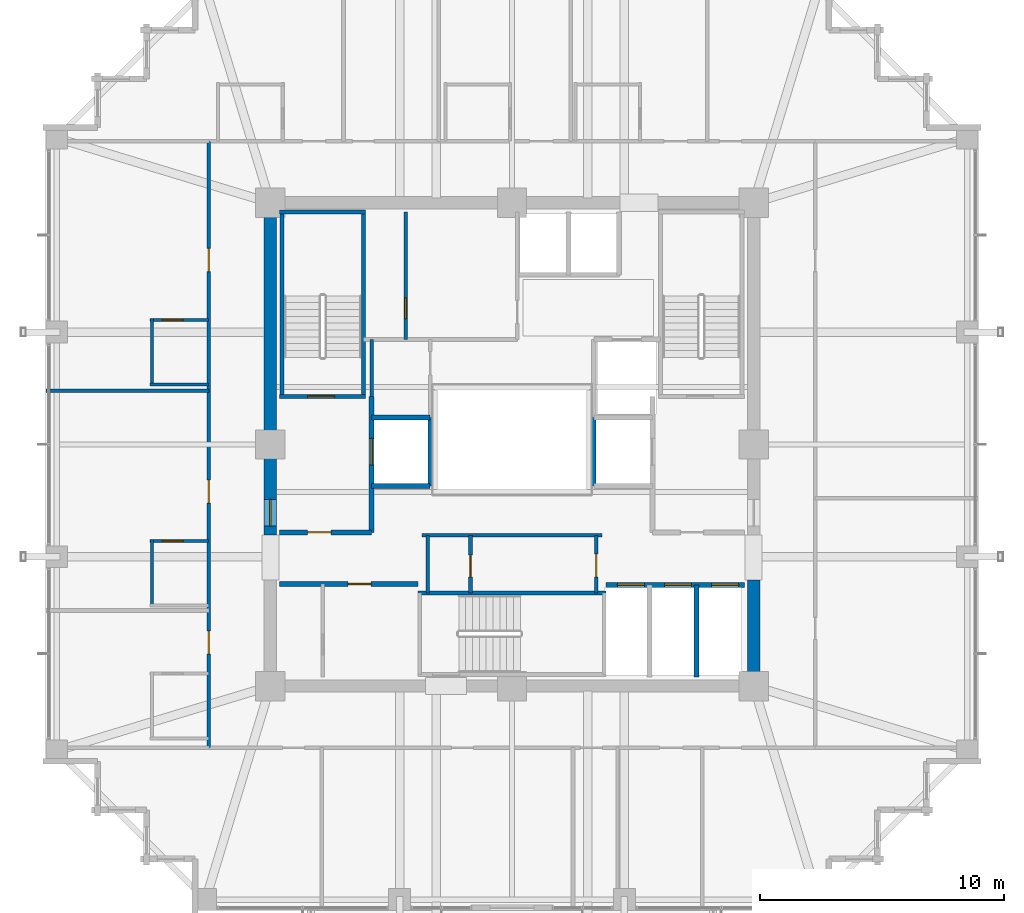
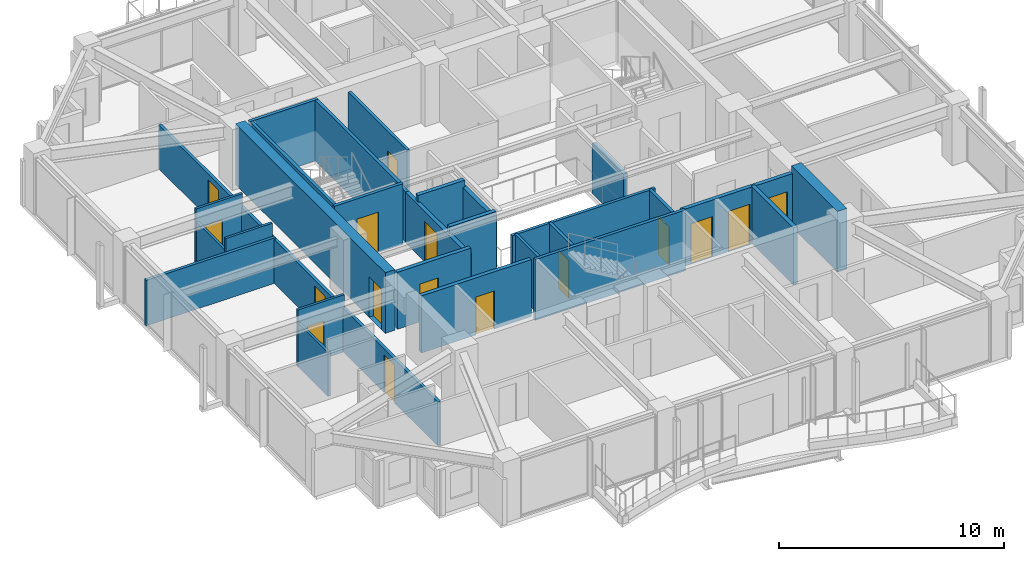
# One storey, part 27 of 32: 29 walls, 16 doors, 16 openings.
"""IFC4 building model written with IfcOpenShell, lengths in metres."""

from ifc_helpers import new_model, si_unit, direction, frame, frame_2d, origin, place, context, subcontext, project, spatial, rectangle, extrude, material, layer, layer_set, type_object, element, fill, save


model = new_model("IFC4")

# Units and contexts
model_context = context("Model", 3, precision=1e-05, world=origin(), true_north=direction((0.0, 1.0)))
body_context = subcontext(model_context, "Body", "Model", "MODEL_VIEW")
ifc_project = project(units=[si_unit("LENGTHUNIT", "METRE"), si_unit("AREAUNIT", "SQUARE_METRE"), si_unit("VOLUMEUNIT", "CUBIC_METRE"), si_unit("PLANEANGLEUNIT", "RADIAN"), si_unit("MASSUNIT", "GRAM", prefix="KILO")], contexts=[model_context])

# Site, building, storey
site_placement = place(None, origin())
site = spatial("IfcSite", under=ifc_project, at=site_placement, CompositionType="ELEMENT")
building_placement = place(site_placement, origin())
building = spatial("IfcBuilding", under=site, at=building_placement, Name="Kolvaren Belvedere", CompositionType="ELEMENT")
storey_placement = place(building_placement, frame((0.0, 0.0, 160.199951171875)))
storey = spatial("IfcBuildingStorey", under=building, at=storey_placement, Name="L46", CompositionType="ELEMENT", Elevation=160.199951171875)

# Wall
ifc_material_1 = material(Name="Concrete C50/60", Category="concrete")
ifc_layer_1 = layer(ifc_material_1, 0.5)
ifc_layer_set_1 = layer_set([ifc_layer_1], Name="Concrete C50/60")
wall_type_1 = type_object("IfcWallType", Name="CW-CORE-500", PredefinedType="SHEAR", material=ifc_layer_set_1)
wall_1_placement = place(storey_placement, frame((9.89990234375, -9.64990234375, 0.0), z_axis=(0.0, 0.0, 1.0), x_axis=(0.0, 1.0, 0.0)))
element("IfcWall", 1, at=wall_1_placement, inside=storey, type_object=wall_type_1, Name="L46 East Core Shear Wall 1", PredefinedType="SHEAR", context=body_context, shape_type="SweptSolid", body=[
    extrude(rectangle(XDim=4.099853515625, YDim=0.5, at=frame_2d((2.0498046875, 0.0))), origin(), (0.0, 0.0, 1.0), 3.300048828125),
])

# Wall, opening, door
wall_2_placement = place(storey_placement, frame((-9.89990234375, -3.699951171875, 0.0), z_axis=(0.0, 0.0, 1.0), x_axis=(0.0, 1.0, 0.0)))
wall_2 = element("IfcWall", 2, at=wall_2_placement, inside=storey, type_object=wall_type_1, Name="L46 West Core Shear Wall 2", PredefinedType="SHEAR", context=body_context, shape_type="SweptSolid", body=[
    extrude(rectangle(XDim=13.349853515625, YDim=0.5, at=frame_2d((6.6748046875, 0.0))), origin(), (0.0, 0.0, 1.0), 3.300048828125),
])
opening_1_placement = place(wall_2_placement, frame((0.35009765625, 0.0, 0.0)))
opening_1 = element("IfcOpeningElement", 3, at=opening_1_placement, cuts=wall_2, Name="Opening D-FD90", PredefinedType="OPENING", context=body_context, shape_type="SweptSolid", body=[
    extrude(rectangle(XDim=1.10009765625, YDim=2.199951171875, at=frame_2d((0.550048828125, 1.10009765625))), frame((0.0, 0.260009765625, 0.0), z_axis=(0.0, -1.0, 0.0), x_axis=(1.0, 0.0, 0.0)), (0.0, 0.0, 1.0), 0.52001953125),
])
ifc_material_2 = material(Name="Painted hollow stainless steel", Category="steel")
door_type_1 = type_object("IfcDoorType", Name="DR-FD90-1100", OperationType="NOTDEFINED", PredefinedType="DOOR", material=ifc_material_2)
door_1_placement = place(opening_1_placement, origin())
door_1 = element("IfcDoor", 4, at=door_1_placement, inside=storey, type_object=door_type_1, Name="L46 West Firefighting Lobby Fire Door", OperationType="SINGLE_SWING_LEFT", OverallHeight=2.199951171875, OverallWidth=1.10009765625, PredefinedType="DOOR", context=body_context, shape_type="SweptSolid", body=[
    extrude(rectangle(XDim=1.10009765625, YDim=2.199951171875, at=frame_2d((0.550048828125, 1.10009765625))), frame((0.0, 0.02490234375, 0.0), z_axis=(0.0, -1.0, 0.0), x_axis=(1.0, 0.0, 0.0)), (0.0, 0.0, 1.0), 0.050048828125),
])
fill(opening_1, door_1)

ifc_material_3 = material(Name="Concrete C50/60", Category="concrete")
ifc_layer_2 = layer(ifc_material_3, 0.159912109375)
ifc_layer_set_2 = layer_set([ifc_layer_2], Name="Concrete C50/60")
wall_type_2 = type_object("IfcWallType", Name="CW-STAIR-160", PredefinedType="SHEAR", material=ifc_layer_set_2)
wall_3_placement = place(storey_placement, frame((-9.52001953125, 1.969970703125, 0.0), z_axis=(0.0, 0.0, 1.0), x_axis=(1.0, 0.0, 0.0)))
wall_3 = element("IfcWall", 5, at=wall_3_placement, inside=storey, type_object=wall_type_2, Name="L46 Stair ST-1 South Shear Wall", PredefinedType="SHEAR", context=body_context, shape_type="SweptSolid", body=[
    extrude(rectangle(XDim=3.52001953125, YDim=0.159912109375, at=frame_2d((1.760009765625, 0.0))), origin(), (0.0, 0.0, 1.0), 3.300048828125),
])
opening_2_placement = place(wall_3_placement, frame((1.14990234375, 0.0, 0.0)))
opening_2 = element("IfcOpeningElement", 6, at=opening_2_placement, cuts=wall_3, Name="Opening D-FD90", PredefinedType="OPENING", context=body_context, shape_type="SweptSolid", body=[
    extrude(rectangle(XDim=1.10009765625, YDim=2.199951171875, at=frame_2d((0.550048828125, 1.10009765625))), frame((0.0, 0.08984375, 0.0), z_axis=(0.0, -1.0, 0.0), x_axis=(1.0, 0.0, 0.0)), (0.0, 0.0, 1.0), 0.179931640625),
])
door_2_placement = place(opening_2_placement, origin())
door_2 = element("IfcDoor", 7, at=door_2_placement, inside=storey, type_object=door_type_1, Name="L46 Stair ST-1 Fire Door", OperationType="SINGLE_SWING_LEFT", OverallHeight=2.199951171875, OverallWidth=1.10009765625, PredefinedType="DOOR", context=body_context, shape_type="SweptSolid", body=[
    extrude(rectangle(XDim=1.10009765625, YDim=2.199951171875, at=frame_2d((0.550048828125, 1.10009765625))), frame((0.0, 0.02490234375, 0.0), z_axis=(0.0, -1.0, 0.0), x_axis=(1.0, 0.0, 0.0)), (0.0, 0.0, 1.0), 0.050048828125),
])
fill(opening_2, door_2)

# Walls
wall_4_placement = place(storey_placement, frame((-9.52001953125, 9.530029296875, 0.0), z_axis=(0.0, 0.0, 1.0), x_axis=(1.0, 0.0, 0.0)))
element("IfcWall", 8, at=wall_4_placement, inside=storey, type_object=wall_type_2, Name="L46 Stair ST-1 North Shear Wall", PredefinedType="SHEAR", context=body_context, shape_type="SweptSolid", body=[
    extrude(rectangle(XDim=3.52001953125, YDim=0.159912109375, at=frame_2d((1.760009765625, 0.0))), origin(), (0.0, 0.0, 1.0), 3.300048828125),
])
for number, where, z_axis, x_axis, name in (
    (9, (-9.429931640625, 1.969970703125, 0.0), (0.0, 0.0, 1.0), (0.0, 1.0, 0.0), "L46 Stair ST-1 West Shear Wall"),
    (10, (-6.080078125, 1.969970703125, 0.0), (0.0, 0.0, 1.0), (0.0, 1.0, 0.0), "L46 Stair ST-1 East Shear Wall"),
):
    element("IfcWall", number, at=place(storey_placement, frame(where, z_axis=z_axis, x_axis=x_axis)), inside=storey, type_object=wall_type_2, Name=name, PredefinedType="SHEAR", context=body_context, shape_type="SweptSolid", body=[
        extrude(rectangle(XDim=7.56005859375, YDim=0.159912109375, at=frame_2d((3.780029296875, 0.0))), origin(), (0.0, 0.0, 1.0), 3.300048828125),
    ])
wall_5_placement = place(storey_placement, frame((-3.860107421875, -6.080078125, 0.0), z_axis=(0.0, 0.0, 1.0), x_axis=(1.0, 0.0, 0.0)))
element("IfcWall", 11, at=wall_5_placement, inside=storey, type_object=wall_type_2, Name="L46 Stair ST-3 North Shear Wall", PredefinedType="SHEAR", context=body_context, shape_type="SweptSolid", body=[
    extrude(rectangle(XDim=7.72021484375, YDim=0.159912109375, at=frame_2d((3.860107421875, 0.0))), origin(), (0.0, 0.0, 1.0), 3.300048828125),
])

# Wall, openings, doors
ifc_material_4 = material(Name="Gypsum fire-rated partition assembly", Category="gypsum")
ifc_layer_3 = layer(ifc_material_4, 0.14990234375)
ifc_layer_set_3 = layer_set([ifc_layer_3], Name="Gypsum fire-rated partition assembly")
wall_type_3 = type_object("IfcWallType", Name="WL-CORR-150", PredefinedType="PARTITIONING", material=ifc_layer_set_3)
wall_6_placement = place(storey_placement, frame((-12.419921875, -12.419921875, 0.0), z_axis=(0.0, 0.0, 1.0), x_axis=(0.0, 1.0, 0.0)))
wall_6 = element("IfcWall", 12, at=wall_6_placement, inside=storey, type_object=wall_type_3, Name="L46 West Corridor Wall", PredefinedType="PARTITIONING", context=body_context, shape_type="SweptSolid", body=[
    extrude(rectangle(XDim=24.83984375, YDim=0.14990234375, at=frame_2d((12.419921875, 0.0))), origin(), (0.0, 0.0, 1.0), 2.38916015625),
])
opening_3_placement = place(wall_6_placement, frame((3.831298828125, 0.0, 0.0)))
opening_3 = element("IfcOpeningElement", 13, at=opening_3_placement, cuts=wall_6, Name="Opening D-FD60", PredefinedType="OPENING", context=body_context, shape_type="SweptSolid", body=[
    extrude(rectangle(XDim=0.949951171875, YDim=2.06005859375, at=frame_2d((0.47509765625, 1.030029296875))), frame((0.0, 0.0849609375, 0.0), z_axis=(0.0, -1.0, 0.0), x_axis=(1.0, 0.0, 0.0)), (0.0, 0.0, 1.0), 0.169921875),
])
opening_4_placement = place(wall_6_placement, frame((10.012451171875, 0.0, 0.0)))
opening_4 = element("IfcOpeningElement", 14, at=opening_4_placement, cuts=wall_6, Name="Opening D-FD60", PredefinedType="OPENING", context=body_context, shape_type="SweptSolid", body=[
    extrude(rectangle(XDim=0.949951171875, YDim=2.06005859375, at=frame_2d((0.47509765625, 1.030029296875))), frame((0.0, 0.0849609375, 0.0), z_axis=(0.0, -1.0, 0.0), x_axis=(1.0, 0.0, 0.0)), (0.0, 0.0, 1.0), 0.169921875),
])
opening_5_placement = place(wall_6_placement, frame((19.50439453125, 0.0, 0.0)))
opening_5 = element("IfcOpeningElement", 15, at=opening_5_placement, cuts=wall_6, Name="Opening D-FD60", PredefinedType="OPENING", context=body_context, shape_type="SweptSolid", body=[
    extrude(rectangle(XDim=0.949951171875, YDim=2.06005859375, at=frame_2d((0.47509765625, 1.030029296875))), frame((0.0, 0.0849609375, 0.0), z_axis=(0.0, -1.0, 0.0), x_axis=(1.0, 0.0, 0.0)), (0.0, 0.0, 1.0), 0.169921875),
])
ifc_material_5 = material(Name="Acoustic white-oak fire door leaf", Category="timber")
door_type_2 = type_object("IfcDoorType", Name="DR-FD60-950", OperationType="NOTDEFINED", PredefinedType="DOOR", material=ifc_material_5)
door_3_placement = place(opening_3_placement, origin())
door_3 = element("IfcDoor", 16, at=door_3_placement, inside=storey, type_object=door_type_2, Name="L46 King Guest Room 4606 Entry Door", OperationType="SINGLE_SWING_RIGHT", OverallHeight=2.06005859375, OverallWidth=0.949951171875, PredefinedType="DOOR", context=body_context, shape_type="SweptSolid", body=[
    extrude(rectangle(XDim=0.949951171875, YDim=2.06005859375, at=frame_2d((0.47509765625, 1.030029296875))), frame((0.0, 0.02490234375, 0.0), z_axis=(0.0, -1.0, 0.0), x_axis=(1.0, 0.0, 0.0)), (0.0, 0.0, 1.0), 0.050048828125),
])
fill(opening_3, door_3)
door_4_placement = place(opening_4_placement, origin())
door_4 = element("IfcDoor", 17, at=door_4_placement, inside=storey, type_object=door_type_2, Name="L46 Botanical Hospitality Suite 4607 Entry Door", OperationType="SINGLE_SWING_RIGHT", OverallHeight=2.06005859375, OverallWidth=0.949951171875, PredefinedType="DOOR", context=body_context, shape_type="SweptSolid", body=[
    extrude(rectangle(XDim=0.949951171875, YDim=2.06005859375, at=frame_2d((0.47509765625, 1.030029296875))), frame((0.0, 0.02490234375, 0.0), z_axis=(0.0, -1.0, 0.0), x_axis=(1.0, 0.0, 0.0)), (0.0, 0.0, 1.0), 0.050048828125),
])
fill(opening_4, door_4)
door_5_placement = place(opening_5_placement, origin())
door_5 = element("IfcDoor", 18, at=door_5_placement, inside=storey, type_object=door_type_2, Name="L46 King Guest Room 4608 Entry Door", OperationType="SINGLE_SWING_RIGHT", OverallHeight=2.06005859375, OverallWidth=0.949951171875, PredefinedType="DOOR", context=body_context, shape_type="SweptSolid", body=[
    extrude(rectangle(XDim=0.949951171875, YDim=2.06005859375, at=frame_2d((0.47509765625, 1.030029296875))), frame((0.0, 0.02490234375, 0.0), z_axis=(0.0, -1.0, 0.0), x_axis=(1.0, 0.0, 0.0)), (0.0, 0.0, 1.0), 0.050048828125),
])
fill(opening_5, door_5)

# Wall, opening, door
ifc_material_6 = material(Name="Gypsum acoustic partition assembly", Category="gypsum")
ifc_layer_4 = layer(ifc_material_6, 0.14990234375)
ifc_layer_set_4 = layer_set([ifc_layer_4], Name="Gypsum acoustic partition assembly")
wall_type_4 = type_object("IfcWallType", Name="WL-PART-150", PredefinedType="PARTITIONING", material=ifc_layer_set_4)
wall_7_placement = place(storey_placement, frame((-4.35009765625, 4.300048828125, 0.0), z_axis=(0.0, 0.0, 1.0), x_axis=(0.0, 1.0, 0.0)))
wall_7 = element("IfcWall", 19, at=wall_7_placement, inside=storey, type_object=wall_type_4, Name="L46 Reclaimed Archive Divider", PredefinedType="PARTITIONING", context=body_context, shape_type="SweptSolid", body=[
    extrude(rectangle(XDim=5.219970703125, YDim=0.14990234375, at=frame_2d((2.60986328125, 0.0))), origin(), (0.0, 0.0, 1.0), 3.10009765625),
])
opening_6_placement = place(wall_7_placement, frame((0.85009765625, 0.0, 0.0)))
opening_6 = element("IfcOpeningElement", 20, at=opening_6_placement, cuts=wall_7, Name="Opening D-INT85", PredefinedType="OPENING", context=body_context, shape_type="SweptSolid", body=[
    extrude(rectangle(XDim=0.85009765625, YDim=2.030029296875, at=frame_2d((0.425048828125, 1.01513671875))), frame((0.0, 0.0849609375, 0.0), z_axis=(0.0, -1.0, 0.0), x_axis=(1.0, 0.0, 0.0)), (0.0, 0.0, 1.0), 0.169921875),
])
ifc_material_7 = material(Name="Stained Pacific white oak", Category="timber")
door_type_3 = type_object("IfcDoorType", Name="DR-INT-850", OperationType="NOTDEFINED", PredefinedType="DOOR", material=ifc_material_7)
door_6_placement = place(opening_6_placement, origin())
door_6 = element("IfcDoor", 21, at=door_6_placement, inside=storey, type_object=door_type_3, Name="L46 Archive Store Door", OperationType="SINGLE_SWING_RIGHT", OverallHeight=2.030029296875, OverallWidth=0.85009765625, PredefinedType="DOOR", context=body_context, shape_type="SweptSolid", body=[
    extrude(rectangle(XDim=0.85009765625, YDim=2.030029296875, at=frame_2d((0.425048828125, 1.01513671875))), frame((0.0, 0.02490234375, 0.0), z_axis=(0.0, -1.0, 0.0), x_axis=(1.0, 0.0, 0.0)), (0.0, 0.0, 1.0), 0.050048828125),
])
fill(opening_6, door_6)

# Wall
wall_8_placement = place(storey_placement, frame((-3.679931640625, -3.719970703125, 0.0), z_axis=(0.0, 0.0, 1.0), x_axis=(1.0, 0.0, 0.0)))
element("IfcWall", 22, at=wall_8_placement, inside=storey, type_object=wall_type_4, Name="L46 South Core Service North Wall", PredefinedType="PARTITIONING", context=body_context, shape_type="SweptSolid", body=[
    extrude(rectangle(XDim=7.35986328125, YDim=0.14990234375, at=frame_2d((3.679931640625, 0.0))), origin(), (0.0, 0.0, 1.0), 3.10009765625),
])

# Wall, opening, door
wall_9_placement = place(storey_placement, frame((3.449951171875, -6.080078125, 0.0), z_axis=(0.0, 0.0, 1.0), x_axis=(0.0, 1.0, 0.0)))
wall_9 = element("IfcWall", 23, at=wall_9_placement, inside=storey, type_object=wall_type_4, Name="L46 South Core Service East Wall", PredefinedType="PARTITIONING", context=body_context, shape_type="SweptSolid", body=[
    extrude(rectangle(XDim=2.360107421875, YDim=0.14990234375, at=frame_2d((1.18017578125, 0.0))), origin(), (0.0, 0.0, 1.0), 3.10009765625),
])
opening_7_placement = place(wall_9_placement, frame((0.64990234375, 0.0, 0.0)))
opening_7 = element("IfcOpeningElement", 24, at=opening_7_placement, cuts=wall_9, Name="Opening D-FD60", PredefinedType="OPENING", context=body_context, shape_type="SweptSolid", body=[
    extrude(rectangle(XDim=0.949951171875, YDim=2.06005859375, at=frame_2d((0.47509765625, 1.030029296875))), frame((0.0, 0.0849609375, 0.0), z_axis=(0.0, -1.0, 0.0), x_axis=(1.0, 0.0, 0.0)), (0.0, 0.0, 1.0), 0.169921875),
])
door_7_placement = place(opening_7_placement, origin())
door_7 = element("IfcDoor", 25, at=door_7_placement, inside=storey, type_object=door_type_2, Name="L46 Core Service Room Door", OperationType="SINGLE_SWING_LEFT", OverallHeight=2.06005859375, OverallWidth=0.949951171875, PredefinedType="DOOR", context=body_context, shape_type="SweptSolid", body=[
    extrude(rectangle(XDim=0.949951171875, YDim=2.06005859375, at=frame_2d((0.47509765625, 1.030029296875))), frame((0.0, 0.02490234375, 0.0), z_axis=(0.0, -1.0, 0.0), x_axis=(1.0, 0.0, 0.0)), (0.0, 0.0, 1.0), 0.050048828125),
])
fill(opening_7, door_7)

# Wall
wall_10_placement = place(storey_placement, frame((-3.449951171875, -6.080078125, 0.0), z_axis=(0.0, 0.0, 1.0), x_axis=(0.0, 1.0, 0.0)))
element("IfcWall", 26, at=wall_10_placement, inside=storey, type_object=wall_type_4, Name="L46 South Core Service West Wall", PredefinedType="PARTITIONING", context=body_context, shape_type="SweptSolid", body=[
    extrude(rectangle(XDim=2.360107421875, YDim=0.14990234375, at=frame_2d((1.18017578125, 0.0))), origin(), (0.0, 0.0, 1.0), 3.10009765625),
])

# Wall, opening, door
wall_11_placement = place(storey_placement, frame((-1.699951171875, -6.080078125, 0.0), z_axis=(0.0, 0.0, 1.0), x_axis=(0.0, 1.0, 0.0)))
wall_11 = element("IfcWall", 27, at=wall_11_placement, inside=storey, type_object=wall_type_4, Name="L46 Core Service Divider", PredefinedType="PARTITIONING", context=body_context, shape_type="SweptSolid", body=[
    extrude(rectangle(XDim=2.360107421875, YDim=0.14990234375, at=frame_2d((1.18017578125, 0.0))), origin(), (0.0, 0.0, 1.0), 3.10009765625),
])
opening_8_placement = place(wall_11_placement, frame((0.64990234375, 0.0, 0.0)))
opening_8 = element("IfcOpeningElement", 28, at=opening_8_placement, cuts=wall_11, Name="Opening D-INT90", PredefinedType="OPENING", context=body_context, shape_type="SweptSolid", body=[
    extrude(rectangle(XDim=0.89990234375, YDim=2.06005859375, at=frame_2d((0.449951171875, 1.030029296875))), frame((0.0, 0.0849609375, 0.0), z_axis=(0.0, -1.0, 0.0), x_axis=(1.0, 0.0, 0.0)), (0.0, 0.0, 1.0), 0.169921875),
])
ifc_material_8 = material(Name="Stained Pacific white oak", Category="timber")
door_type_4 = type_object("IfcDoorType", Name="DR-INT-900", OperationType="NOTDEFINED", PredefinedType="DOOR", material=ifc_material_8)
door_8_placement = place(opening_8_placement, origin())
door_8 = element("IfcDoor", 29, at=door_8_placement, inside=storey, type_object=door_type_4, Name="L46 Telecom Inner Door", OperationType="SINGLE_SWING_RIGHT", OverallHeight=2.06005859375, OverallWidth=0.89990234375, PredefinedType="DOOR", context=body_context, shape_type="SweptSolid", body=[
    extrude(rectangle(XDim=0.89990234375, YDim=2.06005859375, at=frame_2d((0.449951171875, 1.030029296875))), frame((0.0, 0.02490234375, 0.0), z_axis=(0.0, -1.0, 0.0), x_axis=(1.0, 0.0, 0.0)), (0.0, 0.0, 1.0), 0.050048828125),
])
fill(opening_8, door_8)

# Walls
wall_12_placement = place(storey_placement, frame((-5.75, 1.969970703125, 0.0), z_axis=(0.0, 0.0, 1.0), x_axis=(0.0, 1.0, 0.0)))
element("IfcWall", 30, at=wall_12_placement, inside=storey, type_object=wall_type_4, Name="L46 NW Service Room West Wall", PredefinedType="PARTITIONING", context=body_context, shape_type="SweptSolid", body=[
    extrude(rectangle(XDim=2.330078125, YDim=0.14990234375, at=frame_2d((1.1650390625, 0.0))), origin(), (0.0, 0.0, 1.0), 2.735107421875),
])
wall_13_placement = place(storey_placement, frame((-19.080078125, 2.199951171875, 0.0), z_axis=(0.0, 0.0, 1.0), x_axis=(1.0, 0.0, 0.0)))
element("IfcWall", 31, at=wall_13_placement, inside=storey, type_object=wall_type_4, Name="L46 West Suite Demising Wall 2", PredefinedType="PARTITIONING", context=body_context, shape_type="SweptSolid", body=[
    extrude(rectangle(XDim=6.66015625, YDim=0.14990234375, at=frame_2d((3.330078125, 0.0))), origin(), (0.0, 0.0, 1.0), 2.47314453125),
])

# Wall, opening, door
ifc_material_9 = material(Name="Concrete C50/60", Category="concrete")
ifc_layer_5 = layer(ifc_material_9, 0.199951171875)
ifc_layer_set_5 = layer_set([ifc_layer_5], Name="Concrete C50/60")
wall_type_5 = type_object("IfcWallType", Name="WL-SHAFT-200", PredefinedType="SOLIDWALL", material=ifc_layer_set_5)
wall_14_placement = place(storey_placement, frame((-9.52001953125, -3.60009765625, 0.0), z_axis=(0.0, 0.0, 1.0), x_axis=(1.0, 0.0, 0.0)))
wall_14 = element("IfcWall", 32, at=wall_14_placement, inside=storey, type_object=wall_type_5, Name="L46 West FSAE Lobby South Wall", PredefinedType="SOLIDWALL", context=body_context, shape_type="SweptSolid", body=[
    extrude(rectangle(XDim=3.77001953125, YDim=0.199951171875, at=frame_2d((1.885009765625, 0.0))), origin(), (0.0, 0.0, 1.0), 3.10009765625),
])
opening_9_placement = place(wall_14_placement, frame((1.14990234375, 0.0, 0.0)))
opening_9 = element("IfcOpeningElement", 33, at=opening_9_placement, cuts=wall_14, Name="Opening D-FD60", PredefinedType="OPENING", context=body_context, shape_type="SweptSolid", body=[
    extrude(rectangle(XDim=0.949951171875, YDim=2.06005859375, at=frame_2d((0.47509765625, 1.030029296875))), frame((0.0, 0.10986328125, 0.0), z_axis=(0.0, -1.0, 0.0), x_axis=(1.0, 0.0, 0.0)), (0.0, 0.0, 1.0), 0.219970703125),
])
door_9_placement = place(opening_9_placement, origin())
door_9 = element("IfcDoor", 34, at=door_9_placement, inside=storey, type_object=door_type_2, Name="L46 SW Lobby Fire Door", OperationType="SINGLE_SWING_LEFT", OverallHeight=2.06005859375, OverallWidth=0.949951171875, PredefinedType="DOOR", context=body_context, shape_type="SweptSolid", body=[
    extrude(rectangle(XDim=0.949951171875, YDim=2.06005859375, at=frame_2d((0.47509765625, 1.030029296875))), frame((0.0, 0.02490234375, 0.0), z_axis=(0.0, -1.0, 0.0), x_axis=(1.0, 0.0, 0.0)), (0.0, 0.0, 1.0), 0.050048828125),
])
fill(opening_9, door_9)

wall_15_placement = place(storey_placement, frame((-5.75, -3.60009765625, 0.0), z_axis=(0.0, 0.0, 1.0), x_axis=(0.0, 1.0, 0.0)))
wall_15 = element("IfcWall", 35, at=wall_15_placement, inside=storey, type_object=wall_type_5, Name="L46 FSAE FS1 Landing Wall", PredefinedType="SOLIDWALL", context=body_context, shape_type="SweptSolid", body=[
    extrude(rectangle(XDim=5.570068359375, YDim=0.199951171875, at=frame_2d((2.78515625, 0.0))), origin(), (0.0, 0.0, 1.0), 2.735107421875),
])
opening_10_placement = place(wall_15_placement, frame((2.75, 0.0, 0.0)))
opening_10 = element("IfcOpeningElement", 36, at=opening_10_placement, cuts=wall_15, Name="Opening LD-11", PredefinedType="OPENING", context=body_context, shape_type="SweptSolid", body=[
    extrude(rectangle(XDim=1.10009765625, YDim=2.199951171875, at=frame_2d((0.550048828125, 1.10009765625))), frame((0.0, 0.10986328125, 0.0), z_axis=(0.0, -1.0, 0.0), x_axis=(1.0, 0.0, 0.0)), (0.0, 0.0, 1.0), 0.219970703125),
])
ifc_material_10 = material(Name="Brushed stainless steel", Category="steel")
door_type_5 = type_object("IfcDoorType", Name="DR-LIFT-1100", OperationType="DOUBLE_DOOR_SLIDING", PredefinedType="DOOR", material=ifc_material_10)
door_10_placement = place(opening_10_placement, origin())
door_10 = element("IfcDoor", 37, at=door_10_placement, inside=storey, type_object=door_type_5, Name="L46 Firefighting Lift FS1 Landing Door", OperationType="DOUBLE_DOOR_SLIDING", OverallHeight=2.199951171875, OverallWidth=1.10009765625, PredefinedType="DOOR", context=body_context, shape_type="SweptSolid", body=[
    extrude(rectangle(XDim=1.10009765625, YDim=2.199951171875, at=frame_2d((0.550048828125, 1.10009765625))), frame((0.0, 0.02490234375, 0.0), z_axis=(0.0, -1.0, 0.0), x_axis=(1.0, 0.0, 0.0)), (0.0, 0.0, 1.0), 0.050048828125),
])
fill(opening_10, door_10)

# Walls
wall_16_placement = place(storey_placement, frame((-3.35009765625, -1.699951171875, 0.0), z_axis=(0.0, 0.0, 1.0), x_axis=(0.0, 1.0, 0.0)))
element("IfcWall", 38, at=wall_16_placement, inside=storey, type_object=wall_type_5, Name="L46 FSAE FS1 Back Wall", PredefinedType="SOLIDWALL", context=body_context, shape_type="SweptSolid", body=[
    extrude(rectangle(XDim=2.800048828125, YDim=0.199951171875, at=frame_2d((1.39990234375, 0.0))), origin(), (0.0, 0.0, 1.0), 2.735107421875),
])
for number, where, z_axis, x_axis, name in (
    (39, (-5.75, -1.699951171875, 0.0), (0.0, 0.0, 1.0), (1.0, 0.0, 0.0), "L46 FSAE FS1 South Wall"),
    (40, (-5.75, 1.10009765625, 0.0), (0.0, 0.0, 1.0), (1.0, 0.0, 0.0), "L46 FSAE FS1 North Wall"),
):
    element("IfcWall", number, at=place(storey_placement, frame(where, z_axis=z_axis, x_axis=x_axis)), inside=storey, type_object=wall_type_5, Name=name, PredefinedType="SOLIDWALL", context=body_context, shape_type="SweptSolid", body=[
        extrude(rectangle(XDim=2.39990234375, YDim=0.199951171875, at=frame_2d((1.199951171875, 0.0))), origin(), (0.0, 0.0, 1.0), 3.10009765625),
    ])
wall_17_placement = place(storey_placement, frame((3.35009765625, -1.699951171875, 0.0), z_axis=(0.0, 0.0, 1.0), x_axis=(0.0, 1.0, 0.0)))
element("IfcWall", 41, at=wall_17_placement, inside=storey, type_object=wall_type_5, Name="L46 FSAE FS2 Back Wall", PredefinedType="SOLIDWALL", context=body_context, shape_type="SweptSolid", body=[
    extrude(rectangle(XDim=2.800048828125, YDim=0.199951171875, at=frame_2d((1.39990234375, 0.0))), origin(), (0.0, 0.0, 1.0), 2.735107421875),
])

# Wall, opening, door
wall_18_placement = place(storey_placement, frame((-9.52001953125, -5.719970703125, 0.0), z_axis=(0.0, 0.0, 1.0), x_axis=(1.0, 0.0, 0.0)))
wall_18 = element("IfcWall", 42, at=wall_18_placement, inside=storey, type_object=wall_type_5, Name="L46 Reclaimed Mid Room North Wall", PredefinedType="SOLIDWALL", context=body_context, shape_type="SweptSolid", body=[
    extrude(rectangle(XDim=5.659912109375, YDim=0.199951171875, at=frame_2d((2.830078125, 0.0))), origin(), (0.0, 0.0, 1.0), 3.10009765625),
])
opening_11_placement = place(wall_18_placement, frame((2.800048828125, 0.0, 0.0)))
opening_11 = element("IfcOpeningElement", 43, at=opening_11_placement, cuts=wall_18, Name="Opening D-FD60", PredefinedType="OPENING", context=body_context, shape_type="SweptSolid", body=[
    extrude(rectangle(XDim=0.949951171875, YDim=2.06005859375, at=frame_2d((0.47509765625, 1.030029296875))), frame((0.0, 0.10986328125, 0.0), z_axis=(0.0, -1.0, 0.0), x_axis=(1.0, 0.0, 0.0)), (0.0, 0.0, 1.0), 0.219970703125),
])
door_11_placement = place(opening_11_placement, origin())
door_11 = element("IfcDoor", 44, at=door_11_placement, inside=storey, type_object=door_type_2, Name="L46 Reading Lounge Door", OperationType="SINGLE_SWING_LEFT", OverallHeight=2.06005859375, OverallWidth=0.949951171875, PredefinedType="DOOR", context=body_context, shape_type="SweptSolid", body=[
    extrude(rectangle(XDim=0.949951171875, YDim=2.06005859375, at=frame_2d((0.47509765625, 1.030029296875))), frame((0.0, 0.02490234375, 0.0), z_axis=(0.0, -1.0, 0.0), x_axis=(1.0, 0.0, 0.0)), (0.0, 0.0, 1.0), 0.050048828125),
])
fill(opening_11, door_11)

# Wall, openings, doors
wall_19_placement = place(storey_placement, frame((3.860107421875, -5.75, 0.0), z_axis=(0.0, 0.0, 1.0), x_axis=(1.0, 0.0, 0.0)))
wall_19 = element("IfcWall", 45, at=wall_19_placement, inside=storey, type_object=wall_type_5, Name="L46 High-Rise Lift Bank Front Wall", PredefinedType="SOLIDWALL", context=body_context, shape_type="SweptSolid", body=[
    extrude(rectangle(XDim=5.659912109375, YDim=0.199951171875, at=frame_2d((2.830078125, 0.0))), origin(), (0.0, 0.0, 1.0), 3.10009765625),
])
opening_12_placement = place(wall_19_placement, frame((0.4599609375, 0.0, 0.0)))
opening_12 = element("IfcOpeningElement", 46, at=opening_12_placement, cuts=wall_19, Name="Opening LD-11", PredefinedType="OPENING", context=body_context, shape_type="SweptSolid", body=[
    extrude(rectangle(XDim=1.10009765625, YDim=2.199951171875, at=frame_2d((0.550048828125, 1.10009765625))), frame((0.0, 0.10986328125, 0.0), z_axis=(0.0, -1.0, 0.0), x_axis=(1.0, 0.0, 0.0)), (0.0, 0.0, 1.0), 0.219970703125),
])
opening_13_placement = place(wall_19_placement, frame((2.389892578125, 0.0, 0.0)))
opening_13 = element("IfcOpeningElement", 47, at=opening_13_placement, cuts=wall_19, Name="Opening LD-11", PredefinedType="OPENING", context=body_context, shape_type="SweptSolid", body=[
    extrude(rectangle(XDim=1.10009765625, YDim=2.199951171875, at=frame_2d((0.550048828125, 1.10009765625))), frame((0.0, 0.10986328125, 0.0), z_axis=(0.0, -1.0, 0.0), x_axis=(1.0, 0.0, 0.0)), (0.0, 0.0, 1.0), 0.219970703125),
])
opening_14_placement = place(wall_19_placement, frame((4.320068359375, 0.0, 0.0)))
opening_14 = element("IfcOpeningElement", 48, at=opening_14_placement, cuts=wall_19, Name="Opening LD-11", PredefinedType="OPENING", context=body_context, shape_type="SweptSolid", body=[
    extrude(rectangle(XDim=1.10009765625, YDim=2.199951171875, at=frame_2d((0.550048828125, 1.10009765625))), frame((0.0, 0.10986328125, 0.0), z_axis=(0.0, -1.0, 0.0), x_axis=(1.0, 0.0, 0.0)), (0.0, 0.0, 1.0), 0.219970703125),
])
door_12_placement = place(opening_12_placement, origin())
door_12 = element("IfcDoor", 49, at=door_12_placement, inside=storey, type_object=door_type_5, Name="L46 Passenger Lift P7 Landing Door", OperationType="DOUBLE_DOOR_SLIDING", OverallHeight=2.199951171875, OverallWidth=1.10009765625, PredefinedType="DOOR", context=body_context, shape_type="SweptSolid", body=[
    extrude(rectangle(XDim=1.10009765625, YDim=2.199951171875, at=frame_2d((0.550048828125, 1.10009765625))), frame((0.0, 0.02490234375, 0.0), z_axis=(0.0, -1.0, 0.0), x_axis=(1.0, 0.0, 0.0)), (0.0, 0.0, 1.0), 0.050048828125),
])
fill(opening_12, door_12)
door_13_placement = place(opening_13_placement, origin())
door_13 = element("IfcDoor", 50, at=door_13_placement, inside=storey, type_object=door_type_5, Name="L46 Passenger Lift P8 Landing Door", OperationType="DOUBLE_DOOR_SLIDING", OverallHeight=2.199951171875, OverallWidth=1.10009765625, PredefinedType="DOOR", context=body_context, shape_type="SweptSolid", body=[
    extrude(rectangle(XDim=1.10009765625, YDim=2.199951171875, at=frame_2d((0.550048828125, 1.10009765625))), frame((0.0, 0.02490234375, 0.0), z_axis=(0.0, -1.0, 0.0), x_axis=(1.0, 0.0, 0.0)), (0.0, 0.0, 1.0), 0.050048828125),
])
fill(opening_13, door_13)
door_14_placement = place(opening_14_placement, origin())
door_14 = element("IfcDoor", 51, at=door_14_placement, inside=storey, type_object=door_type_5, Name="L46 Passenger Lift P9 Landing Door", OperationType="DOUBLE_DOOR_SLIDING", OverallHeight=2.199951171875, OverallWidth=1.10009765625, PredefinedType="DOOR", context=body_context, shape_type="SweptSolid", body=[
    extrude(rectangle(XDim=1.10009765625, YDim=2.199951171875, at=frame_2d((0.550048828125, 1.10009765625))), frame((0.0, 0.02490234375, 0.0), z_axis=(0.0, -1.0, 0.0), x_axis=(1.0, 0.0, 0.0)), (0.0, 0.0, 1.0), 0.050048828125),
])
fill(opening_14, door_14)

# Wall
wall_20_placement = place(storey_placement, frame((7.56005859375, -9.52001953125, 0.0), z_axis=(0.0, 0.0, 1.0), x_axis=(0.0, 1.0, 0.0)))
element("IfcWall", 52, at=wall_20_placement, inside=storey, type_object=wall_type_5, Name="L46 High-Rise Hoistway Divider 2", PredefinedType="SOLIDWALL", context=body_context, shape_type="SweptSolid", body=[
    extrude(rectangle(XDim=3.77001953125, YDim=0.199951171875, at=frame_2d((1.885009765625, 0.0))), origin(), (0.0, 0.0, 1.0), 3.10009765625),
])

# Wall, opening, door
ifc_material_11 = material(Name="Moisture-resistant gypsum partition", Category="gypsum")
ifc_layer_6 = layer(ifc_material_11, 0.125)
ifc_layer_set_6 = layer_set([ifc_layer_6], Name="Moisture-resistant gypsum partition")
wall_type_6 = type_object("IfcWallType", Name="WL-WET-125", PredefinedType="PARTITIONING", material=ifc_layer_set_6)
wall_21_placement = place(storey_placement, frame((-14.824951171875, -3.955078125, 0.0), z_axis=(0.0, 0.0, 1.0), x_axis=(1.0, 0.0, 0.0)))
wall_21 = element("IfcWall", 53, at=wall_21_placement, inside=storey, type_object=wall_type_6, Name="L46 Bathroom Partition PW-L46-BTH-7-N", PredefinedType="PARTITIONING", context=body_context, shape_type="SweptSolid", body=[
    extrude(rectangle(XDim=2.389892578125, YDim=0.125, at=frame_2d((1.19482421875, 0.0))), origin(), (0.0, 0.0, 1.0), 3.10009765625),
])
opening_15_placement = place(wall_21_placement, frame((0.5, 0.0, 0.0)))
opening_15 = element("IfcOpeningElement", 54, at=opening_15_placement, cuts=wall_21, Name="Opening D-BTH85", PredefinedType="OPENING", context=body_context, shape_type="SweptSolid", body=[
    extrude(rectangle(XDim=0.85009765625, YDim=2.030029296875, at=frame_2d((0.425048828125, 1.01513671875))), frame((0.0, 0.072509765625, 0.0), z_axis=(0.0, -1.0, 0.0), x_axis=(1.0, 0.0, 0.0)), (0.0, 0.0, 1.0), 0.14501953125),
])
ifc_material_12 = material(Name="Moisture-sealed Pacific white oak", Category="timber")
door_type_6 = type_object("IfcDoorType", Name="DR-BATH-850", OperationType="NOTDEFINED", PredefinedType="DOOR", material=ifc_material_12)
door_15_placement = place(opening_15_placement, origin())
door_15 = element("IfcDoor", 55, at=door_15_placement, inside=storey, type_object=door_type_6, Name="L46 En-Suite Bathroom 4607 Door", OperationType="SINGLE_SWING_LEFT", OverallHeight=2.030029296875, OverallWidth=0.85009765625, PredefinedType="DOOR", context=body_context, shape_type="SweptSolid", body=[
    extrude(rectangle(XDim=0.85009765625, YDim=2.030029296875, at=frame_2d((0.425048828125, 1.01513671875))), frame((0.0, 0.02490234375, 0.0), z_axis=(0.0, -1.0, 0.0), x_axis=(1.0, 0.0, 0.0)), (0.0, 0.0, 1.0), 0.050048828125),
])
fill(opening_15, door_15)

# Wall
wall_22_placement = place(storey_placement, frame((-14.7451171875, -6.6650390625, 0.0), z_axis=(0.0, 0.0, 1.0), x_axis=(0.0, 1.0, 0.0)))
element("IfcWall", 56, at=wall_22_placement, inside=storey, type_object=wall_type_6, Name="L46 Bathroom Partition PW-L46-BTH-7-V", PredefinedType="PARTITIONING", context=body_context, shape_type="SweptSolid", body=[
    extrude(rectangle(XDim=2.77001953125, YDim=0.125, at=frame_2d((1.385009765625, 0.0))), origin(), (0.0, 0.0, 1.0), 2.38916015625),
])

# Wall, opening, door
wall_23_placement = place(storey_placement, frame((-14.824951171875, 5.09912109375, 0.0), z_axis=(0.0, 0.0, 1.0), x_axis=(1.0, 0.0, 0.0)))
wall_23 = element("IfcWall", 57, at=wall_23_placement, inside=storey, type_object=wall_type_6, Name="L46 Bathroom Partition PW-L46-BTH-8-N", PredefinedType="PARTITIONING", context=body_context, shape_type="SweptSolid", body=[
    extrude(rectangle(XDim=2.389892578125, YDim=0.125, at=frame_2d((1.19482421875, 0.0))), origin(), (0.0, 0.0, 1.0), 3.10009765625),
])
opening_16_placement = place(wall_23_placement, frame((0.5, 0.0, 0.0)))
opening_16 = element("IfcOpeningElement", 58, at=opening_16_placement, cuts=wall_23, Name="Opening D-BTH85", PredefinedType="OPENING", context=body_context, shape_type="SweptSolid", body=[
    extrude(rectangle(XDim=0.85009765625, YDim=2.030029296875, at=frame_2d((0.425048828125, 1.01513671875))), frame((0.0, 0.072509765625, 0.0), z_axis=(0.0, -1.0, 0.0), x_axis=(1.0, 0.0, 0.0)), (0.0, 0.0, 1.0), 0.14501953125),
])
door_16_placement = place(opening_16_placement, origin())
door_16 = element("IfcDoor", 59, at=door_16_placement, inside=storey, type_object=door_type_6, Name="L46 En-Suite Bathroom 4608 Door", OperationType="SINGLE_SWING_LEFT", OverallHeight=2.030029296875, OverallWidth=0.85009765625, PredefinedType="DOOR", context=body_context, shape_type="SweptSolid", body=[
    extrude(rectangle(XDim=0.85009765625, YDim=2.030029296875, at=frame_2d((0.425048828125, 1.01513671875))), frame((0.0, 0.02490234375, 0.0), z_axis=(0.0, -1.0, 0.0), x_axis=(1.0, 0.0, 0.0)), (0.0, 0.0, 1.0), 0.050048828125),
])
fill(opening_16, door_16)

# Walls
wall_24_placement = place(storey_placement, frame((-14.7451171875, 2.388916015625, 0.0), z_axis=(0.0, 0.0, 1.0), x_axis=(0.0, 1.0, 0.0)))
element("IfcWall", 60, at=wall_24_placement, inside=storey, type_object=wall_type_6, Name="L46 Bathroom Partition PW-L46-BTH-8-V", PredefinedType="PARTITIONING", context=body_context, shape_type="SweptSolid", body=[
    extrude(rectangle(XDim=2.77001953125, YDim=0.125, at=frame_2d((1.385009765625, 0.0))), origin(), (0.0, 0.0, 1.0), 2.38916015625),
])
wall_25_placement = place(storey_placement, frame((-14.824951171875, 2.448974609375, 0.0), z_axis=(0.0, 0.0, 1.0), x_axis=(1.0, 0.0, 0.0)))
element("IfcWall", 61, at=wall_25_placement, inside=storey, type_object=wall_type_6, Name="L46 Bathroom Partition PW-L46-BTH-8-S", PredefinedType="PARTITIONING", context=body_context, shape_type="SweptSolid", body=[
    extrude(rectangle(XDim=2.389892578125, YDim=0.125, at=frame_2d((1.19482421875, 0.0))), origin(), (0.0, 0.0, 1.0), 3.10009765625),
])

save(model, "model.ifc")
